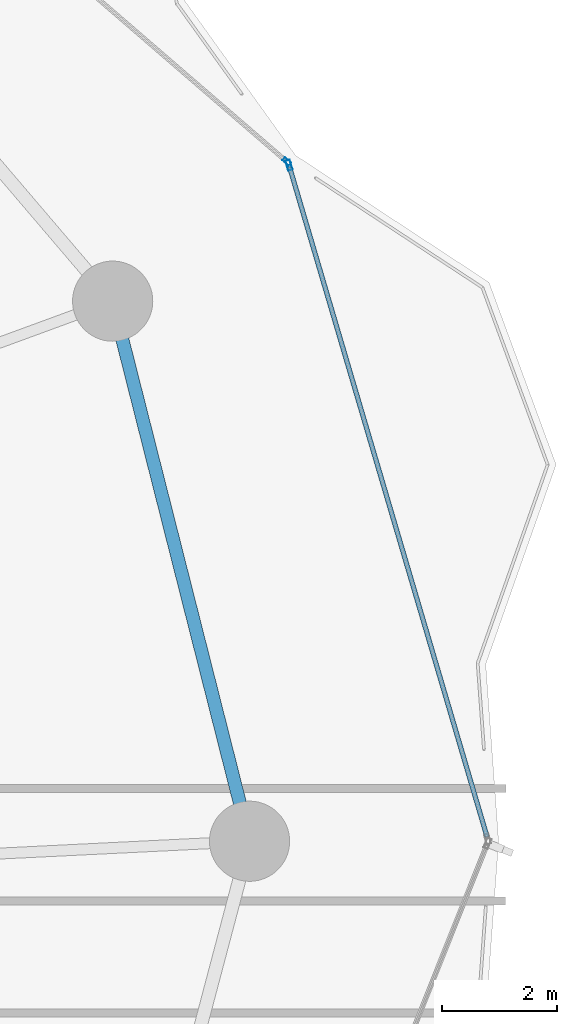
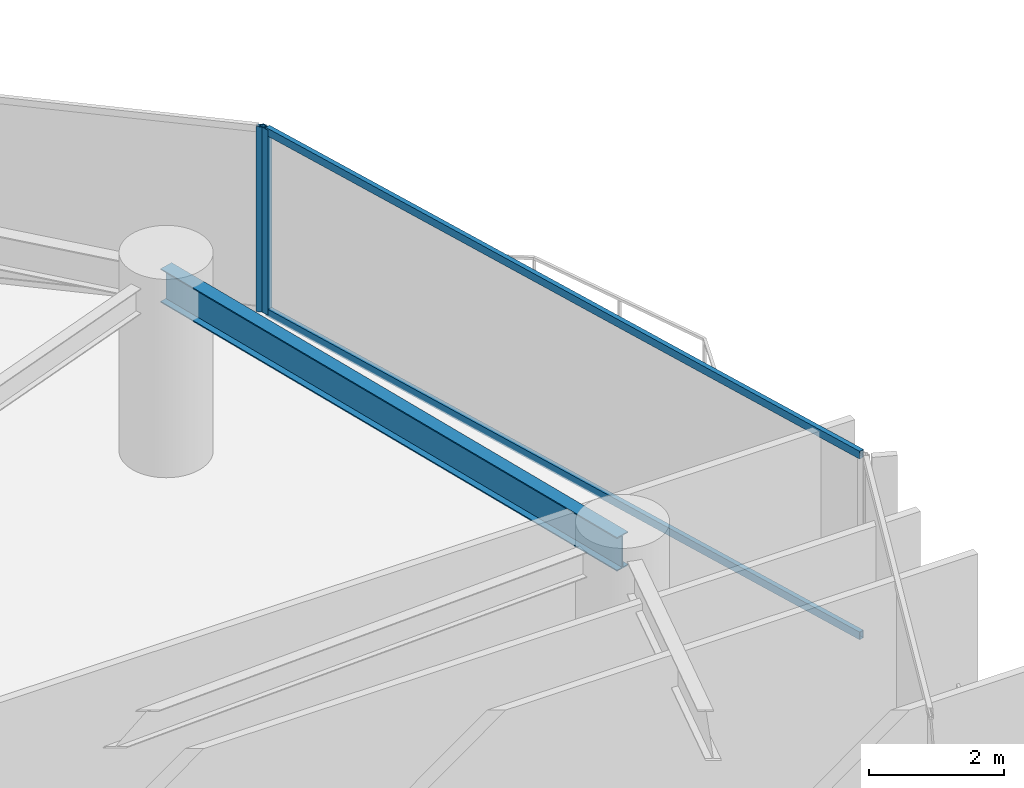
# One storey, part 24 of 33: 4 members, 1 beam, 2 elements without a shape of their own.
"""IFC4 building model written with IfcOpenShell, lengths in metres."""

import ifcopenshell
import ifcopenshell.guid

model = None  # the IFC model being written
_history = None  # IfcOwnerHistory: only IFC2X3 demands one
_inside = {}  # id of a spatial element -> (the spatial element, [elements in it])
_under = {}  # id of a project, library or spatial element -> (it, [spatial elements below it])
_declared = {}  # id of a project -> (the project, [libraries it declares])
_typed = {}  # id of a type object -> (the type object, [elements of that type])
_made_of = {}  # id of a material, layer set ... -> (it, [elements and type objects made of it])


def new_model(schema):
    """Start an empty IFC model of exactly this schema.

    Asked for "IFC4X3", IfcOpenShell would pick the latest addendum, in which some entities
    have other attributes; the version numbers below select the first issue.
    IFC2X3 requires an IfcOwnerHistory on every rooted entity: one is made here for all.
    """
    global model, _history
    if schema == "IFC4X3":
        model = ifcopenshell.file(schema_version=(4, 3, 0, 0))
    else:
        model = ifcopenshell.file(schema=schema)
    _inside.clear()
    _under.clear()
    _declared.clear()
    _typed.clear()
    _made_of.clear()
    _history = None
    if model.schema == "IFC2X3":
        org = make("IfcOrganization", Name="unknown")
        user = make(
            "IfcPersonAndOrganization",
            ThePerson=make("IfcPerson", FamilyName="unknown"),
            TheOrganization=org,
        )
        app = make(
            "IfcApplication",
            ApplicationDeveloper=org,
            Version="unknown",
            ApplicationFullName="unknown",
            ApplicationIdentifier="unknown",
        )
        _history = make(
            "IfcOwnerHistory",
            OwningUser=user,
            OwningApplication=app,
            ChangeAction="ADDED",
            CreationDate=0,
        )
    return model


def make(cls, **values):
    """One entity of the class cls with the attributes given. An attribute that is None is left unset."""
    return model.create_entity(
        cls, **{name: value for name, value in values.items() if value is not None}
    )


def rooted(cls, **values):
    """An entity with a GlobalId (a new one), such as an element, a storey or a relation."""
    return make(cls, GlobalId=ifcopenshell.guid.new(), OwnerHistory=_history, **values)


def si_unit(unit_type, name, prefix=None):
    """IfcSIUnit, for example si_unit("LENGTHUNIT", "METRE", prefix="MILLI")."""
    return make("IfcSIUnit", UnitType=unit_type, Prefix=prefix, Name=name)


def assignment(units):
    """IfcUnitAssignment: the units of a project."""
    return None if units is None else make("IfcUnitAssignment", Units=units)


def point(xyz):
    """IfcCartesianPoint."""
    return None if xyz is None else make("IfcCartesianPoint", Coordinates=xyz)


def direction(xyz):
    """IfcDirection."""
    return None if xyz is None else make("IfcDirection", DirectionRatios=xyz)


def frame(location, z_axis=None, x_axis=None):
    """IfcAxis2Placement3D, a coordinate frame: its origin and axes. An axis left out is left unset."""
    return make(
        "IfcAxis2Placement3D",
        Location=point(location),
        Axis=direction(z_axis),
        RefDirection=direction(x_axis),
    )


def frame_2d(location, x_axis=None):
    """IfcAxis2Placement2D, a coordinate frame in the plane: its origin and x axis."""
    return make(
        "IfcAxis2Placement2D", Location=point(location), RefDirection=direction(x_axis)
    )


def origin():
    """The frame at (0, 0, 0) with its axes left unset."""
    return frame((0.0, 0.0, 0.0))


def origin_2d():
    """The frame at (0, 0) in the plane with its x axis left unset."""
    return frame_2d((0.0, 0.0))


def place(relative_to, where):
    """IfcLocalPlacement: puts the frame where relative to a parent placement (None: the world)."""
    return make(
        "IfcLocalPlacement", PlacementRelTo=relative_to, RelativePlacement=where
    )


def context(
    kind, dimensions, precision=None, world=None, true_north=None, identifier=None
):
    """IfcGeometricRepresentationContext, for example the 3D "Model" context."""
    return make(
        "IfcGeometricRepresentationContext",
        ContextIdentifier=identifier,
        ContextType=kind,
        CoordinateSpaceDimension=dimensions,
        Precision=precision,
        WorldCoordinateSystem=world,
        TrueNorth=true_north,
    )


def subcontext(parent, identifier, kind, view, scale=None):
    """IfcGeometricRepresentationSubContext, for example "Body" below "Model"."""
    return make(
        "IfcGeometricRepresentationSubContext",
        ContextIdentifier=identifier,
        ContextType=kind,
        ParentContext=parent,
        TargetScale=scale,
        TargetView=view,
    )


def project(units=None, contexts=None):
    """IfcProject with its units and contexts."""
    return rooted(
        "IfcProject",
        Name="project",
        RepresentationContexts=contexts,
        UnitsInContext=assignment(units),
    )


def spatial(cls, under=None, at=None, **own):
    """A site, building, storey or space (cls), placed at a placement, below another one or the project."""
    s = rooted(cls, ObjectPlacement=at, **own)
    if under is not None:
        _under.setdefault(under.id(), (under, []))[1].append(s)
    return s


def profile(cls, at=None, kind="AREA", **sizes):
    """A parametric profile (cls). Its sizes go by their IFC names, for example OverallWidth=200.0."""
    return make(cls, ProfileType=kind, Position=at, **sizes)


def hollow_rectangle(**sizes):
    """IfcRectangleHollowProfileDef."""
    return profile("IfcRectangleHollowProfileDef", **sizes)


def i_section(**sizes):
    """IfcIShapeProfileDef."""
    return profile("IfcIShapeProfileDef", **sizes)


def extrude(swept, where, along, depth):
    """IfcExtrudedAreaSolid: the profile swept, set in the frame where, extruded along a direction by depth."""
    return make(
        "IfcExtrudedAreaSolid",
        SweptArea=swept,
        Position=where,
        ExtrudedDirection=direction(along),
        Depth=depth,
    )


def shape(context_of_items, identifier, shape_type, items):
    """IfcShapeRepresentation: the items that make up one representation, for example the "Body"."""
    return make(
        "IfcShapeRepresentation",
        ContextOfItems=context_of_items,
        RepresentationIdentifier=identifier,
        RepresentationType=shape_type,
        Items=items,
    )


def material(Name=None, Category=None):
    """IfcMaterial."""
    return make("IfcMaterial", Name=Name, Category=Category)


def layer(
    of_material, thickness, ventilated=None, Name=None, Category=None, Priority=None
):
    """IfcMaterialLayer: one layer of a wall or slab, of a material (None: an air gap)."""
    return make(
        "IfcMaterialLayer",
        Material=of_material,
        LayerThickness=thickness,
        IsVentilated=ventilated,
        Name=Name,
        Category=Category,
        Priority=Priority,
    )


def layer_set(layers, Name=None):
    """IfcMaterialLayerSet."""
    return make("IfcMaterialLayerSet", MaterialLayers=layers, LayerSetName=Name)


def material_profile(
    of_material, cross_section, Name=None, Category=None, Priority=None
):
    """IfcMaterialProfile: a cross section and its material."""
    return make(
        "IfcMaterialProfile",
        Name=Name,
        Material=of_material,
        Profile=cross_section,
        Priority=Priority,
        Category=Category,
    )


def profile_set(profiles, Name=None, composite=None):
    """IfcMaterialProfileSet."""
    return make(
        "IfcMaterialProfileSet",
        Name=Name,
        MaterialProfiles=profiles,
        CompositeProfile=composite,
    )


def made_of(thing, what):
    """Note that an element or type object is made of a material, layer set ...; save() writes the relation."""
    if what is not None:
        _made_of.setdefault(what.id(), (what, []))[1].append(thing)
    return thing


def type_object(cls, material=None, **own):
    """A type object (cls), such as IfcWallType, which elements share."""
    return made_of(rooted(cls, **own), material)


def element(
    cls,
    number,
    at=None,
    inside=None,
    cuts=None,
    type_object=None,
    material=None,
    context=None,
    identifier="Body",
    shape_type=None,
    held_by="IfcProductDefinitionShape",
    body=None,
    shapes=None,
    **own,
):
    """One element of the class cls, such as IfcWall. Its Tag is "e" and its number.

    at: its placement. inside: the storey or other place that contains it. cuts: it is an
    opening in that element (IfcRelVoidsElement). A single representation is given by context,
    identifier, shape_type and body (its items); several are given by shapes. held_by: the class
    of the entity that holds the representations. save() writes the other relations.
    """
    e = rooted(cls, Tag="e%d" % number, ObjectPlacement=at, **own)
    if body is not None:
        shapes = [shape(context, identifier, shape_type, body)]
    if shapes is not None:
        e.Representation = make(held_by, Representations=shapes)
    if inside is not None:
        _inside.setdefault(inside.id(), (inside, []))[1].append(e)
    if cuts is not None:
        rooted(
            "IfcRelVoidsElement", RelatingBuildingElement=cuts, RelatedOpeningElement=e
        )
    if type_object is not None:
        _typed.setdefault(type_object.id(), (type_object, []))[1].append(e)
    return made_of(e, material)


def aggregate(whole, parts):
    """IfcRelAggregates: a whole, such as a stair, and the parts it consists of."""
    return rooted("IfcRelAggregates", RelatingObject=whole, RelatedObjects=parts)


def save(model, path):
    """Write the relations noted so far, then the file.

    IfcRelAggregates (storeys below a building ...), IfcRelContainedInSpatialStructure (elements
    in a storey), IfcRelDefinesByType, IfcRelAssociatesMaterial and IfcRelDeclares: one each for
    every whole, place, type object, material and project.
    """
    for whole, parts in _under.values():
        aggregate(whole, parts)
    for where, things in _inside.values():
        rooted(
            "IfcRelContainedInSpatialStructure",
            RelatedElements=things,
            RelatingStructure=where,
        )
    for kind, things in _typed.values():
        rooted("IfcRelDefinesByType", RelatedObjects=things, RelatingType=kind)
    for what, things in _made_of.values():
        rooted("IfcRelAssociatesMaterial", RelatedObjects=things, RelatingMaterial=what)
    for by, libraries in _declared.values():
        rooted("IfcRelDeclares", RelatingContext=by, RelatedDefinitions=libraries)
    model.write(path)


model = new_model("IFC4")

# Units and contexts
model_context = context("Model", 3, precision=1e-05, world=origin(), true_north=direction((0.0, 1.0)))
body_context = subcontext(model_context, "Body", "Model", "MODEL_VIEW")
ifc_project = project(units=[si_unit("LENGTHUNIT", "METRE"), si_unit("AREAUNIT", "SQUARE_METRE"), si_unit("VOLUMEUNIT", "CUBIC_METRE"), si_unit("PLANEANGLEUNIT", "RADIAN"), si_unit("MASSUNIT", "GRAM", prefix="KILO")], contexts=[model_context])

# Site, building, storey
site_placement = place(None, origin())
site = spatial("IfcSite", under=ifc_project, at=site_placement, CompositionType="ELEMENT")
building_placement = place(site_placement, origin())
building = spatial("IfcBuilding", under=site, at=building_placement, Name="Kazevale Care Tower and Concert Hall", CompositionType="ELEMENT")
storey_placement = place(building_placement, frame((0.0, 0.0, 52.800048828125)))
storey = spatial("IfcBuildingStorey", under=building, at=storey_placement, Name="L13", CompositionType="ELEMENT", Elevation=52.800048828125)

# Curtain wall, member
ifc_material_1 = material(Name="Aluminium 6063-T6 and Low-E Glass", Category="aluminium")
ifc_layer_1 = layer(ifc_material_1, 0.179931640625)
ifc_layer_set_1 = layer_set([ifc_layer_1], Name="Aluminium 6063-T6 and Low-E Glass")
curtain_wall_type_1 = type_object("IfcCurtainWallType", Name="Convex Recessed Sunroom Curtain Wall CW-3", PredefinedType="NOTDEFINED", material=ifc_layer_set_1)
curtain_wall_1_placement = place(storey_placement, origin())
curtain_wall_1 = element("IfcCurtainWall", 1, at=curtain_wall_1_placement, inside=storey, type_object=curtain_wall_type_1, Name="cw:L13:f17", PredefinedType="NOTDEFINED")
ifc_material_2 = material(Name="Aluminium 6063-T6", Category="aluminium")
ifc_material_profile_1 = material_profile(ifc_material_2, hollow_rectangle(XDim=0.074951171875, YDim=0.14990234375, WallThickness=0.00390625, at=origin_2d()), Name="ALU75x150x4")
ifc_profile_set_1 = profile_set([ifc_material_profile_1], Name="Aluminium 6063-T6")
member_type_1 = type_object("IfcMemberType", Name="CW-3 Mullion ALU75x150x4", PredefinedType="MULLION", material=ifc_profile_set_1)
member_1_placement = place(storey_placement, frame((77.099609375, 49.867431640625, 0.0), z_axis=(0.0, 0.0, 1.0), x_axis=(0.653183596561, 0.757199570248, 0.0)))
member_1 = element("IfcMember", 2, at=member_1_placement, type_object=member_type_1, Name="CW-3 mullion 2", PredefinedType="MULLION", context=body_context, shape_type="SweptSolid", body=[
    extrude(hollow_rectangle(XDim=0.074951171875, YDim=0.14990234375, WallThickness=0.00390625, at=origin_2d()), origin(), (0.0, 0.0, 1.0), 3.35986328125),
])
aggregate(curtain_wall_1, [member_1])

# Curtain wall, members
ifc_layer_2 = layer(ifc_material_1, 0.179931640625)
ifc_layer_set_2 = layer_set([ifc_layer_2], Name="Aluminium 6063-T6 and Low-E Glass")
curtain_wall_type_2 = type_object("IfcCurtainWallType", Name="Waist & Upper Residential Curtain Wall CW-4", PredefinedType="NOTDEFINED", material=ifc_layer_set_2)
curtain_wall_2_placement = place(storey_placement, origin())
curtain_wall_2 = element("IfcCurtainWall", 3, at=curtain_wall_2_placement, inside=storey, type_object=curtain_wall_type_2, Name="cw:L13:f18", PredefinedType="NOTDEFINED")
ifc_material_profile_2 = material_profile(ifc_material_2, hollow_rectangle(XDim=0.080078125, YDim=0.179931640625, WallThickness=0.0048828125, at=origin_2d()), Name="ALU80x180x5")
ifc_profile_set_2 = profile_set([ifc_material_profile_2], Name="Aluminium 6063-T6")
member_type_2 = type_object("IfcMemberType", Name="CW-4 Mullion ALU80x180x5", PredefinedType="MULLION", material=ifc_profile_set_2)
member_2_placement = place(storey_placement, frame((77.139404296875, 49.8046875, 0.0), z_axis=(0.0, 0.0, 1.0), x_axis=(0.959173119586, 0.282819600918, 0.0)))
member_2 = element("IfcMember", 4, at=member_2_placement, type_object=member_type_2, Name="CW-4 mullion 1", PredefinedType="MULLION", context=body_context, shape_type="SweptSolid", body=[
    extrude(hollow_rectangle(XDim=0.080078125, YDim=0.179931640625, WallThickness=0.0048828125, at=origin_2d()), origin(), (0.0, 0.0, 1.0), 3.35986328125),
])
ifc_material_profile_3 = material_profile(ifc_material_2, hollow_rectangle(XDim=0.080078125, YDim=0.139892578125, WallThickness=0.00390625, at=origin_2d()), Name="ALU80x140x4")
ifc_profile_set_3 = profile_set([ifc_material_profile_3], Name="Aluminium 6063-T6")
member_type_3 = type_object("IfcMemberType", Name="CW-4 Transom ALU80x140x4", PredefinedType="USERDEFINED", material=ifc_profile_set_3)
member_3_placement = place(storey_placement, frame((77.150634765625, 49.766357421875, 0.0400390625), z_axis=(0.282818078945, -0.95917356835, 0.0), x_axis=(0.95917356835, 0.282818078945, 0.0)))
member_3 = element("IfcMember", 5, at=member_3_placement, type_object=member_type_3, Name="CW-4 transom 1.1", ObjectType="TRANSOM", PredefinedType="USERDEFINED", context=body_context, shape_type="SweptSolid", body=[
    extrude(hollow_rectangle(XDim=0.080078125, YDim=0.139892578125, WallThickness=0.00390625, at=origin_2d()), origin(), (0.0, 0.0, 1.0), 12.187255859375),
])
member_4_placement = place(storey_placement, frame((77.150634765625, 49.766357421875, 3.320068359375), z_axis=(0.282818078945, -0.95917356835, 0.0), x_axis=(0.95917356835, 0.282818078945, 0.0)))
member_4 = element("IfcMember", 6, at=member_4_placement, type_object=member_type_3, Name="CW-4 transom 1.2", ObjectType="TRANSOM", PredefinedType="USERDEFINED", context=body_context, shape_type="SweptSolid", body=[
    extrude(hollow_rectangle(XDim=0.080078125, YDim=0.139892578125, WallThickness=0.00390625, at=origin_2d()), origin(), (0.0, 0.0, 1.0), 12.187255859375),
])
aggregate(curtain_wall_2, [member_2, member_3, member_4])

# Beam
ifc_material_3 = material(Name="Steel ASTM A572 Gr 50", Category="steel")
ifc_material_profile_4 = material_profile(ifc_material_3, i_section(OverallWidth=0.22900390625, OverallDepth=0.612060546875, WebThickness=0.011962890625, FlangeThickness=0.01953125, at=origin_2d()), Name="W610x125")
ifc_profile_set_4 = profile_set([ifc_material_profile_4], Name="Steel ASTM A572 Gr 50")
beam_type = type_object("IfcBeamType", Name="Ring Spandrel Beam W610x125", PredefinedType="SPANDREL", material=ifc_profile_set_4)
beam_placement = place(storey_placement, frame((76.449951171875, 38.0, 3.053955078125), z_axis=(-0.245669948409, 0.969353535326, 0.0), x_axis=(-0.969353535326, -0.245669948409, 0.0)))
element("IfcBeam", 7, at=beam_placement, inside=storey, type_object=beam_type, Name="beam:L13:ring:01", PredefinedType="SPANDREL", context=body_context, shape_type="SweptSolid", body=[
    extrude(i_section(OverallWidth=0.22900390625, OverallDepth=0.612060546875, WebThickness=0.011962890625, FlangeThickness=0.01953125, at=origin_2d()), origin(), (0.0, 0.0, 1.0), 9.72802734375),
])

save(model, "model.ifc")
